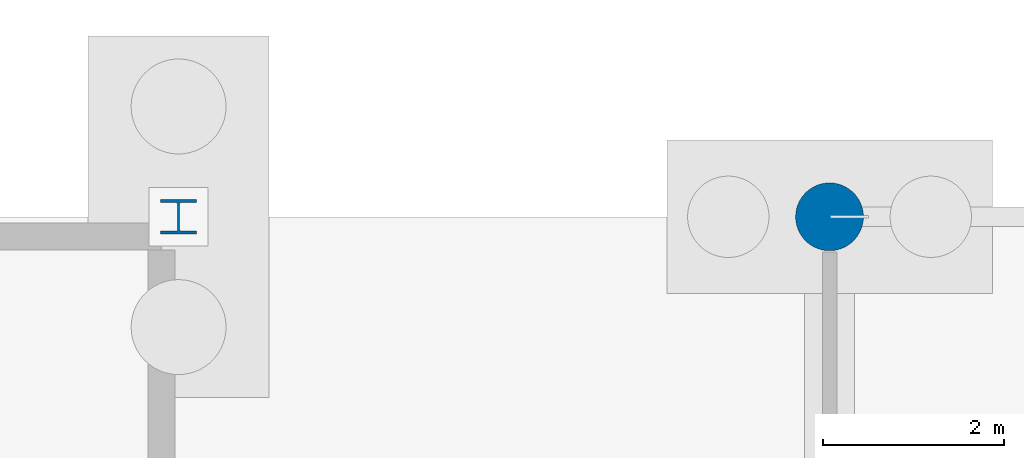
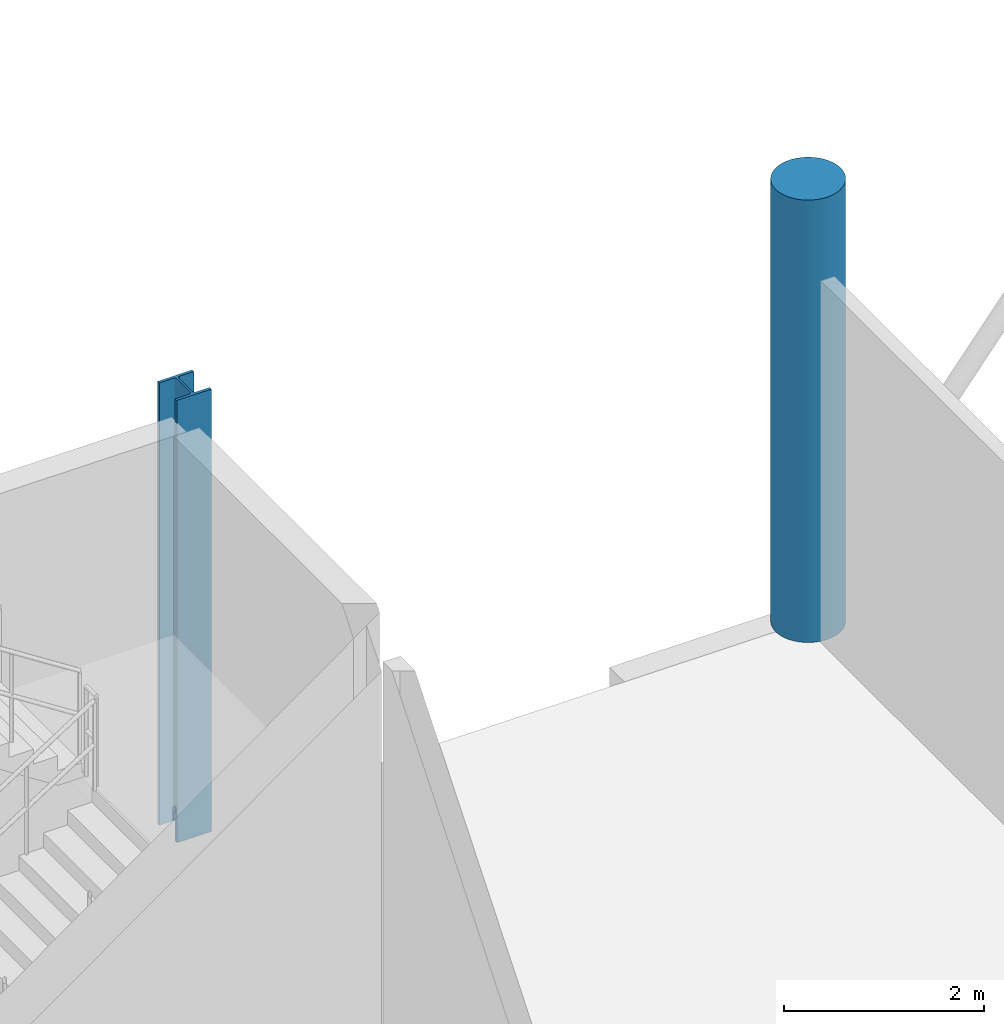
# One storey, part 29 of 61: 2 columns.
"""IFC4 building model written with IfcOpenShell, lengths in metres."""

from ifc_helpers import new_model, si_unit, direction, frame, origin, origin_2d, place, context, subcontext, project, spatial, circle, i_section, extrude, material, material_profile, profile_set, type_object, element, save


model = new_model("IFC4")

# Units and contexts
model_context = context("Model", 3, precision=1e-05, world=origin(), true_north=direction((0.0, 1.0)))
body_context = subcontext(model_context, "Body", "Model", "MODEL_VIEW")
ifc_project = project(units=[si_unit("LENGTHUNIT", "METRE"), si_unit("AREAUNIT", "SQUARE_METRE"), si_unit("VOLUMEUNIT", "CUBIC_METRE"), si_unit("PLANEANGLEUNIT", "RADIAN"), si_unit("MASSUNIT", "GRAM", prefix="KILO")], contexts=[model_context])

# Site, building, storey
site_placement = place(None, origin())
site = spatial("IfcSite", under=ifc_project, at=site_placement, CompositionType="ELEMENT")
building_placement = place(site_placement, origin())
building = spatial("IfcBuilding", under=site, at=building_placement, Name="Calvrana Isthmian Art Gallery", CompositionType="ELEMENT")
storey_placement = place(building_placement, frame((0.0, 0.0, -5.39990234375)))
storey = spatial("IfcBuildingStorey", under=building, at=storey_placement, Name="B1", CompositionType="ELEMENT", Elevation=-5.39990234375)

# Columns
ifc_material_1 = material(Name="Concrete C40/50", Category="concrete")
ifc_material_profile_1 = material_profile(ifc_material_1, circle(Radius=0.375, at=origin_2d()), Name="RC750D")
ifc_profile_set_1 = profile_set([ifc_material_profile_1], Name="Concrete C40/50")
column_type_1 = type_object("IfcColumnType", Name="COL-RC-RC750D", PredefinedType="COLUMN", material=ifc_profile_set_1)
column_1_placement = place(storey_placement, frame((120.0, 98.39990234375, 0.0), z_axis=(0.0, 0.0, 1.0), x_axis=(1.0, 0.0, 0.0)))
element("IfcColumn", 1, at=column_1_placement, inside=storey, type_object=column_type_1, Name="Column 16/N B1", PredefinedType="COLUMN", context=body_context, shape_type="SweptSolid", body=[
    extrude(circle(Radius=0.375, at=origin_2d()), origin(), (0.0, 0.0, 1.0), 5.39990234375),
])
ifc_material_2 = material(Name="Steel ASTM A992 Gr 50", Category="steel")
ifc_material_profile_2 = material_profile(ifc_material_2, i_section(OverallWidth=0.39892578125, OverallDepth=0.385986328125, WebThickness=0.02099609375, FlangeThickness=0.033203125, FilletRadius=0.02490234375, at=origin_2d()), Name="W14X176")
ifc_profile_set_2 = profile_set([ifc_material_profile_2], Name="Steel ASTM A992 Gr 50")
column_type_2 = type_object("IfcColumnType", Name="COL-STL-W14X176", PredefinedType="COLUMN", material=ifc_profile_set_2)
column_2_placement = place(storey_placement, frame((112.800048828125, 98.39990234375, 0.0), z_axis=(0.0, 0.0, 1.0), x_axis=(1.0, 0.0, 0.0)))
element("IfcColumn", 2, at=column_2_placement, inside=storey, type_object=column_type_2, Name="Column 15/N B1", PredefinedType="COLUMN", context=body_context, shape_type="SweptSolid", body=[
    extrude(i_section(OverallWidth=0.39892578125, OverallDepth=0.385986328125, WebThickness=0.02099609375, FlangeThickness=0.033203125, FilletRadius=0.02490234375, at=origin_2d()), origin(), (0.0, 0.0, 1.0), 5.39990234375),
])

save(model, "model.ifc")
